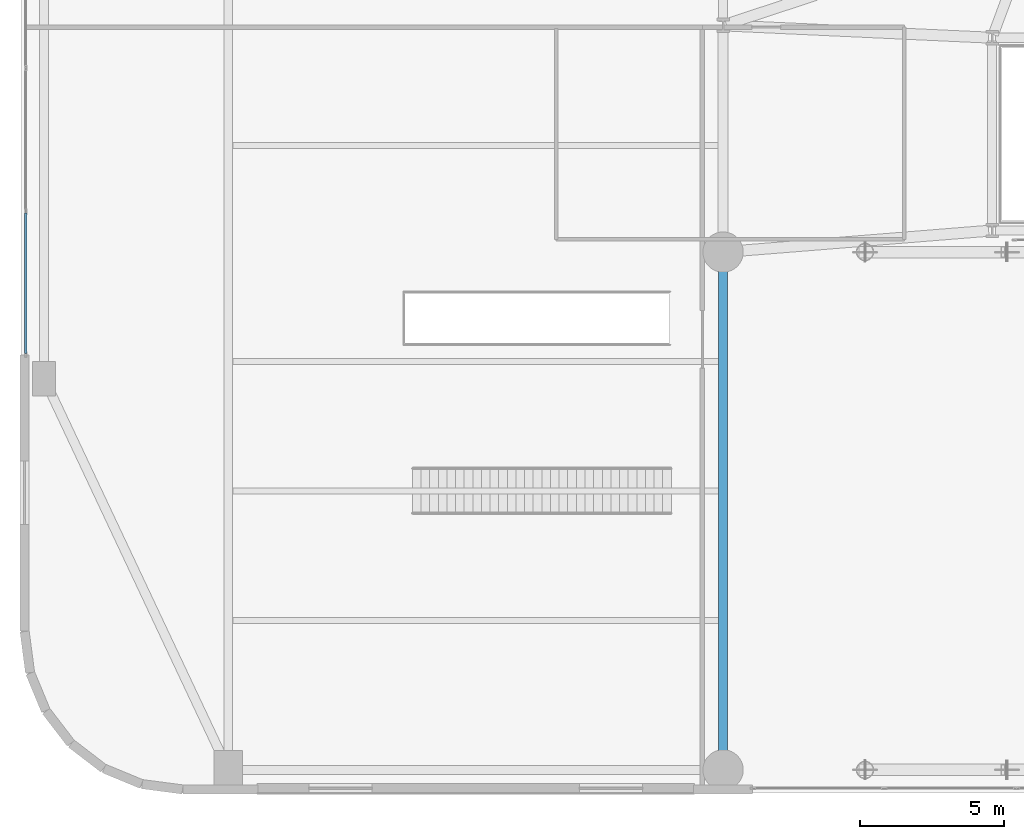
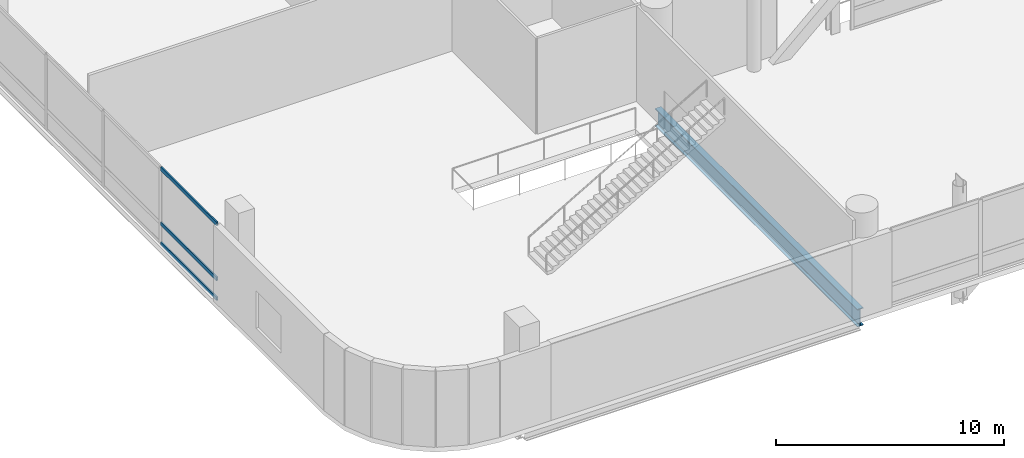
# One storey, part 5 of 36: 3 members, 1 beam, 1 element without a shape of its own.
"""IFC4 building model written with IfcOpenShell, lengths in metres."""

from ifc_helpers import new_model, si_unit, direction, frame, origin, origin_2d, place, context, subcontext, project, spatial, hollow_rectangle, i_section, extrude, material, layer, layer_set, material_profile, profile_set, type_object, element, aggregate, save


model = new_model("IFC4")

# Units and contexts
model_context = context("Model", 3, precision=1e-05, world=origin(), true_north=direction((0.0, 1.0)))
body_context = subcontext(model_context, "Body", "Model", "MODEL_VIEW")
ifc_project = project(units=[si_unit("LENGTHUNIT", "METRE"), si_unit("AREAUNIT", "SQUARE_METRE"), si_unit("VOLUMEUNIT", "CUBIC_METRE"), si_unit("PLANEANGLEUNIT", "RADIAN"), si_unit("MASSUNIT", "GRAM", prefix="KILO")], contexts=[model_context])

# Site, building, storey
site_placement = place(None, origin())
site = spatial("IfcSite", under=ifc_project, at=site_placement, CompositionType="ELEMENT")
building_placement = place(site_placement, origin())
building = spatial("IfcBuilding", under=site, at=building_placement, Name="Varnelok Gate Tower", CompositionType="ELEMENT")
storey_placement = place(building_placement, frame((0.0, 0.0, 10.800048828125)))
storey = spatial("IfcBuildingStorey", under=building, at=storey_placement, Name="L02", CompositionType="ELEMENT", Elevation=10.800048828125)

# Beam
ifc_material_1 = material(Name="Structural Steel ASTM A992 Grade 50", Category="steel")
ifc_material_profile_1 = material_profile(ifc_material_1, i_section(OverallWidth=0.30810546875, OverallDepth=0.943115234375, WebThickness=0.022216796875, FlangeThickness=0.039794921875, FilletRadius=0.02587890625, at=origin_2d()), Name="W36X232")
ifc_profile_set_1 = profile_set([ifc_material_profile_1], Name="Structural Steel ASTM A992 Grade 50")
beam_type = type_object("IfcBeamType", Name="BM-PRI-W36X232", PredefinedType="BEAM", material=ifc_profile_set_1)
beam_placement = place(storey_placement, frame((24.39990234375, 0.93994140625, -0.75146484375), z_axis=(0.0, 1.0, 0.0), x_axis=(-1.0, 0.0, 0.0)))
element("IfcBeam", 1, at=beam_placement, inside=storey, type_object=beam_type, Name="L02 Podium Primary Girder 12", PredefinedType="BEAM", context=body_context, shape_type="SweptSolid", body=[
    extrude(i_section(OverallWidth=0.30810546875, OverallDepth=0.943115234375, WebThickness=0.022216796875, FlangeThickness=0.039794921875, FilletRadius=0.02587890625, at=origin_2d()), origin(), (0.0, 0.0, 1.0), 17.719970703125),
])

# Curtain wall, members
ifc_material_2 = material(Name="Anodized Aluminum Alloy 6063-T6", Category="aluminium")
ifc_layer = layer(ifc_material_2, 0.179931640625)
ifc_layer_set = layer_set([ifc_layer], Name="Anodized Aluminum Alloy 6063-T6")
curtain_wall_type = type_object("IfcCurtainWallType", Name="CW1-ARCH-PORTAL", PredefinedType="USERDEFINED", material=ifc_layer_set)
curtain_wall_placement = place(storey_placement, origin())
curtain_wall = element("IfcCurtainWall", 2, at=curtain_wall_placement, inside=storey, type_object=curtain_wall_type, Name="L02 Podium Portal Curtain Wall W", ObjectType="UNITISED CURTAIN WALL", PredefinedType="USERDEFINED")
ifc_material_profile_2 = material_profile(ifc_material_2, hollow_rectangle(XDim=0.074951171875, YDim=0.199951171875, WallThickness=0.00390625, at=origin_2d()), Name="ALU200X75X4")
ifc_profile_set_2 = profile_set([ifc_material_profile_2], Name="Anodized Aluminum Alloy 6063-T6")
member_type = type_object("IfcMemberType", Name="CW-TRAN-200", PredefinedType="USERDEFINED", material=ifc_profile_set_2)
member_1_placement = place(storey_placement, frame((0.159912109375, 15.27490234375, 0.037353515625), z_axis=(0.0, 1.0, 0.0), x_axis=(-1.0, 0.0, 0.0)))
member_1 = element("IfcMember", 3, at=member_1_placement, type_object=member_type, Name="CW1 transom 1.1", ObjectType="TRANSOM", PredefinedType="USERDEFINED", context=body_context, shape_type="SweptSolid", body=[
    extrude(hollow_rectangle(XDim=0.074951171875, YDim=0.199951171875, WallThickness=0.00390625, at=origin_2d()), origin(), (0.0, 0.0, 1.0), 4.8876953125),
])
member_2_placement = place(storey_placement, frame((0.159912109375, 15.27490234375, 1.099853515625), z_axis=(0.0, 1.0, 0.0), x_axis=(-1.0, 0.0, 0.0)))
member_2 = element("IfcMember", 4, at=member_2_placement, type_object=member_type, Name="CW1 transom 1.2", ObjectType="TRANSOM", PredefinedType="USERDEFINED", context=body_context, shape_type="SweptSolid", body=[
    extrude(hollow_rectangle(XDim=0.074951171875, YDim=0.199951171875, WallThickness=0.00390625, at=origin_2d()), origin(), (0.0, 0.0, 1.0), 4.8876953125),
])
member_3_placement = place(storey_placement, frame((0.159912109375, 15.27490234375, 4.032470703125), z_axis=(0.0, 1.0, 0.0), x_axis=(-1.0, 0.0, 0.0)))
member_3 = element("IfcMember", 5, at=member_3_placement, type_object=member_type, Name="CW1 transom 1.3", ObjectType="TRANSOM", PredefinedType="USERDEFINED", context=body_context, shape_type="SweptSolid", body=[
    extrude(hollow_rectangle(XDim=0.074951171875, YDim=0.199951171875, WallThickness=0.00390625, at=origin_2d()), origin(), (0.0, 0.0, 1.0), 4.8876953125),
])
aggregate(curtain_wall, [member_1, member_2, member_3])

save(model, "model.ifc")
